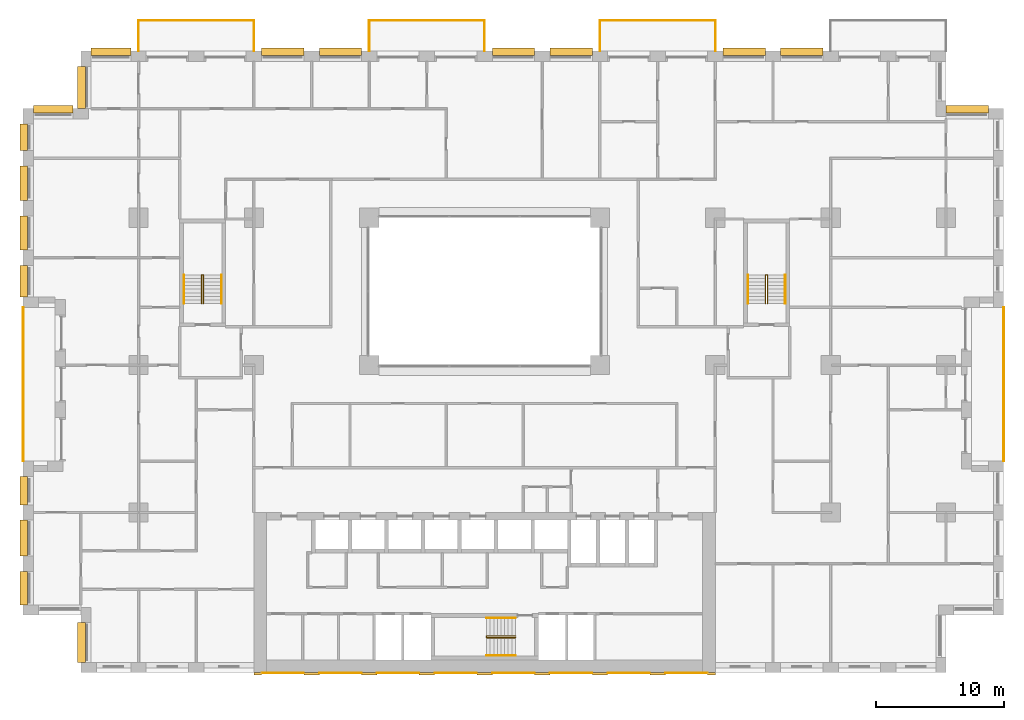
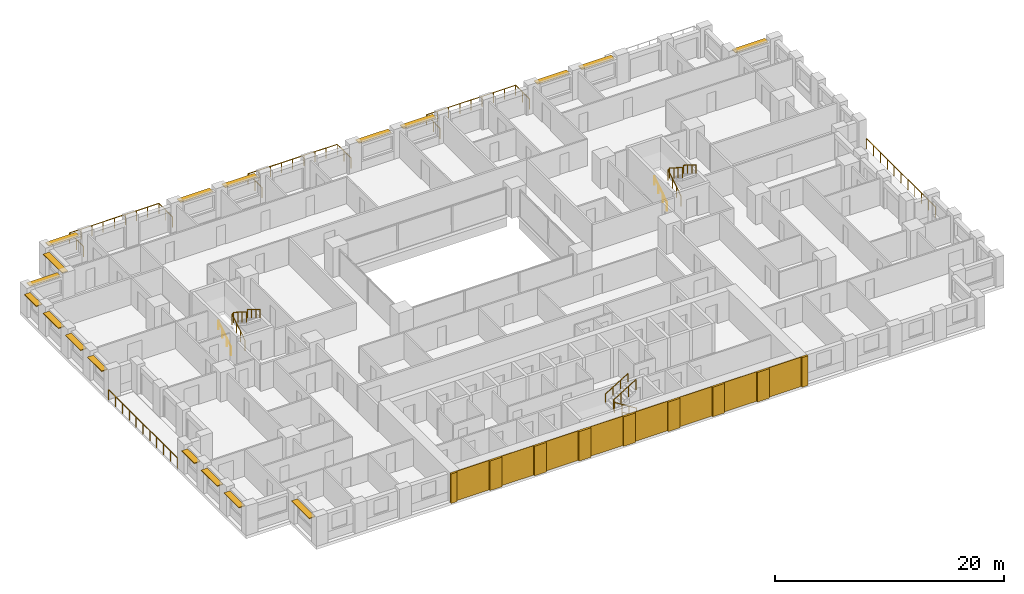
# One storey, part 19 of 20: 18 shading devices, 17 coverings, 14 railings.
"""IFC4 building model written with IfcOpenShell, lengths in metres."""

from ifc_helpers import new_model, si_unit, direction, frame, origin, origin_2d, place, context, subcontext, project, spatial, rectangle, circle, extrude, material, layer, layer_set, type_object, element, save


model = new_model("IFC4")

# Units and contexts
model_context = context("Model", 3, precision=1e-05, world=origin(), true_north=direction((0.0, 1.0)))
body_context = subcontext(model_context, "Body", "Model", "MODEL_VIEW")
ifc_project = project(units=[si_unit("LENGTHUNIT", "METRE"), si_unit("AREAUNIT", "SQUARE_METRE"), si_unit("VOLUMEUNIT", "CUBIC_METRE"), si_unit("PLANEANGLEUNIT", "RADIAN"), si_unit("MASSUNIT", "GRAM", prefix="KILO")], contexts=[model_context])

# Site, building, storey
site_placement = place(None, origin())
site = spatial("IfcSite", under=ifc_project, at=site_placement, CompositionType="ELEMENT")
building_placement = place(site_placement, origin())
building = spatial("IfcBuilding", under=site, at=building_placement, Name="Brigalow Station Residences", CompositionType="ELEMENT")
storey_placement = place(building_placement, frame((0.0, 0.0, 57.300048828125)))
storey = spatial("IfcBuildingStorey", under=building, at=storey_placement, Name="L16", CompositionType="ELEMENT", Elevation=57.300048828125)

# Railings
ifc_material_1 = material(Name="Stainless steel balustrade with laminated glass infill", Category="steel")
railing_type_1 = type_object("IfcRailingType", Name="BALCONY GUARD 1100", PredefinedType="GUARDRAIL", material=ifc_material_1)
railing_1_placement = place(storey_placement, frame((76.5, 16.5, -0.0400390625)))
element("IfcRailing", 1, at=railing_1_placement, inside=storey, type_object=railing_type_1, Name="L16/balcony-guard/1", PredefinedType="GUARDRAIL", context=body_context, shape_type="SweptSolid", body=[
    extrude(circle(Radius=0.02392578125, at=origin_2d()), frame((0.0, 0.0, 1.076171875), z_axis=(0.0, 1.0, 0.0), x_axis=(-1.0, 0.0, 0.0)), (0.0, 0.0, 1.0), 12.0),
    extrude(circle(Radius=0.02099609375, at=origin_2d()), origin(), (0.0, 0.0, 1.0), 1.052001953125),
    extrude(circle(Radius=0.02099609375, at=origin_2d()), frame((0.0, 1.199951171875, 0.0)), (0.0, 0.0, 1.0), 1.052001953125),
    extrude(circle(Radius=0.02099609375, at=origin_2d()), frame((0.0, 2.39990234375, 0.0)), (0.0, 0.0, 1.0), 1.052001953125),
    extrude(circle(Radius=0.02099609375, at=origin_2d()), frame((0.0, 3.60009765625, 0.0)), (0.0, 0.0, 1.0), 1.052001953125),
    extrude(circle(Radius=0.02099609375, at=origin_2d()), frame((0.0, 4.800048828125, 0.0)), (0.0, 0.0, 1.0), 1.052001953125),
    extrude(circle(Radius=0.02099609375, at=origin_2d()), frame((0.0, 6.0, 0.0)), (0.0, 0.0, 1.0), 1.052001953125),
    extrude(circle(Radius=0.02099609375, at=origin_2d()), frame((0.0, 7.199951171875, 0.0)), (0.0, 0.0, 1.0), 1.052001953125),
    extrude(circle(Radius=0.02099609375, at=origin_2d()), frame((0.0, 8.39990234375, 0.0)), (0.0, 0.0, 1.0), 1.052001953125),
    extrude(circle(Radius=0.02099609375, at=origin_2d()), frame((0.0, 9.60009765625, 0.0)), (0.0, 0.0, 1.0), 1.052001953125),
    extrude(circle(Radius=0.02099609375, at=origin_2d()), frame((0.0, 10.800048828125, 0.0)), (0.0, 0.0, 1.0), 1.052001953125),
    extrude(circle(Radius=0.02099609375, at=origin_2d()), frame((0.0, 12.0, 0.0)), (0.0, 0.0, 1.0), 1.052001953125),
])
railing_2_placement = place(storey_placement, frame((54.0, 48.5, -0.0400390625)))
element("IfcRailing", 2, at=railing_2_placement, inside=storey, type_object=railing_type_1, Name="L16/balcony-guard/3", PredefinedType="GUARDRAIL", context=body_context, shape_type="SweptSolid", body=[
    extrude(circle(Radius=0.02392578125, at=origin_2d()), frame((0.0, 0.0, 1.076171875), z_axis=(0.0, 1.0, 0.0), x_axis=(-1.0, 0.0, 0.0)), (0.0, 0.0, 1.0), 2.39990234375),
    extrude(circle(Radius=0.02392578125, at=origin_2d()), frame((0.0, 2.39990234375, 1.076171875), z_axis=(-1.0, 0.0, 0.0), x_axis=(0.0, -1.0, 0.0)), (0.0, 0.0, 1.0), 9.0),
    extrude(circle(Radius=0.02392578125, at=origin_2d()), frame((-9.0, 2.39990234375, 1.076171875), z_axis=(0.0, -1.0, 0.0), x_axis=(1.0, 0.0, 0.0)), (0.0, 0.0, 1.0), 2.39990234375),
    extrude(circle(Radius=0.02099609375, at=origin_2d()), origin(), (0.0, 0.0, 1.0), 1.052001953125),
    extrude(circle(Radius=0.02099609375, at=origin_2d()), frame((0.0, 1.199951171875, 0.0)), (0.0, 0.0, 1.0), 1.052001953125),
    extrude(circle(Radius=0.02099609375, at=origin_2d()), frame((0.0, 2.39990234375, 0.0)), (0.0, 0.0, 1.0), 1.052001953125),
    extrude(circle(Radius=0.02099609375, at=origin_2d()), frame((-1.125, 2.39990234375, 0.0)), (0.0, 0.0, 1.0), 1.052001953125),
    extrude(circle(Radius=0.02099609375, at=origin_2d()), frame((-2.25, 2.39990234375, 0.0)), (0.0, 0.0, 1.0), 1.052001953125),
    extrude(circle(Radius=0.02099609375, at=origin_2d()), frame((-3.375, 2.39990234375, 0.0)), (0.0, 0.0, 1.0), 1.052001953125),
    extrude(circle(Radius=0.02099609375, at=origin_2d()), frame((-4.5, 2.39990234375, 0.0)), (0.0, 0.0, 1.0), 1.052001953125),
    extrude(circle(Radius=0.02099609375, at=origin_2d()), frame((-5.625, 2.39990234375, 0.0)), (0.0, 0.0, 1.0), 1.052001953125),
    extrude(circle(Radius=0.02099609375, at=origin_2d()), frame((-6.75, 2.39990234375, 0.0)), (0.0, 0.0, 1.0), 1.052001953125),
    extrude(circle(Radius=0.02099609375, at=origin_2d()), frame((-7.875, 2.39990234375, 0.0)), (0.0, 0.0, 1.0), 1.052001953125),
    extrude(circle(Radius=0.02099609375, at=origin_2d()), frame((-9.0, 2.39990234375, 0.0)), (0.0, 0.0, 1.0), 1.052001953125),
    extrude(circle(Radius=0.02099609375, at=origin_2d()), frame((-9.0, 1.199951171875, 0.0)), (0.0, 0.0, 1.0), 1.052001953125),
    extrude(circle(Radius=0.02099609375, at=origin_2d()), frame((-9.0, 0.0, 0.0)), (0.0, 0.0, 1.0), 1.052001953125),
])
railing_3_placement = place(storey_placement, frame((36.0, 48.5, -0.0400390625)))
element("IfcRailing", 3, at=railing_3_placement, inside=storey, type_object=railing_type_1, Name="L16/balcony-guard/4", PredefinedType="GUARDRAIL", context=body_context, shape_type="SweptSolid", body=[
    extrude(circle(Radius=0.02392578125, at=origin_2d()), frame((0.0, 0.0, 1.076171875), z_axis=(0.0, 1.0, 0.0), x_axis=(-1.0, 0.0, 0.0)), (0.0, 0.0, 1.0), 2.39990234375),
    extrude(circle(Radius=0.02392578125, at=origin_2d()), frame((0.0, 2.39990234375, 1.076171875), z_axis=(-1.0, 0.0, 0.0), x_axis=(0.0, -1.0, 0.0)), (0.0, 0.0, 1.0), 9.0),
    extrude(circle(Radius=0.02392578125, at=origin_2d()), frame((-9.0, 2.39990234375, 1.076171875), z_axis=(0.0, -1.0, 0.0), x_axis=(1.0, 0.0, 0.0)), (0.0, 0.0, 1.0), 2.39990234375),
    extrude(circle(Radius=0.02099609375, at=origin_2d()), origin(), (0.0, 0.0, 1.0), 1.052001953125),
    extrude(circle(Radius=0.02099609375, at=origin_2d()), frame((0.0, 1.199951171875, 0.0)), (0.0, 0.0, 1.0), 1.052001953125),
    extrude(circle(Radius=0.02099609375, at=origin_2d()), frame((0.0, 2.39990234375, 0.0)), (0.0, 0.0, 1.0), 1.052001953125),
    extrude(circle(Radius=0.02099609375, at=origin_2d()), frame((-1.125, 2.39990234375, 0.0)), (0.0, 0.0, 1.0), 1.052001953125),
    extrude(circle(Radius=0.02099609375, at=origin_2d()), frame((-2.25, 2.39990234375, 0.0)), (0.0, 0.0, 1.0), 1.052001953125),
    extrude(circle(Radius=0.02099609375, at=origin_2d()), frame((-3.375, 2.39990234375, 0.0)), (0.0, 0.0, 1.0), 1.052001953125),
    extrude(circle(Radius=0.02099609375, at=origin_2d()), frame((-4.5, 2.39990234375, 0.0)), (0.0, 0.0, 1.0), 1.052001953125),
    extrude(circle(Radius=0.02099609375, at=origin_2d()), frame((-5.625, 2.39990234375, 0.0)), (0.0, 0.0, 1.0), 1.052001953125),
    extrude(circle(Radius=0.02099609375, at=origin_2d()), frame((-6.75, 2.39990234375, 0.0)), (0.0, 0.0, 1.0), 1.052001953125),
    extrude(circle(Radius=0.02099609375, at=origin_2d()), frame((-7.875, 2.39990234375, 0.0)), (0.0, 0.0, 1.0), 1.052001953125),
    extrude(circle(Radius=0.02099609375, at=origin_2d()), frame((-9.0, 2.39990234375, 0.0)), (0.0, 0.0, 1.0), 1.052001953125),
    extrude(circle(Radius=0.02099609375, at=origin_2d()), frame((-9.0, 1.199951171875, 0.0)), (0.0, 0.0, 1.0), 1.052001953125),
    extrude(circle(Radius=0.02099609375, at=origin_2d()), frame((-9.0, 0.0, 0.0)), (0.0, 0.0, 1.0), 1.052001953125),
])
railing_4_placement = place(storey_placement, frame((18.0, 48.5, -0.0400390625)))
element("IfcRailing", 4, at=railing_4_placement, inside=storey, type_object=railing_type_1, Name="L16/balcony-guard/5", PredefinedType="GUARDRAIL", context=body_context, shape_type="SweptSolid", body=[
    extrude(circle(Radius=0.02392578125, at=origin_2d()), frame((0.0, 0.0, 1.076171875), z_axis=(0.0, 1.0, 0.0), x_axis=(-1.0, 0.0, 0.0)), (0.0, 0.0, 1.0), 2.39990234375),
    extrude(circle(Radius=0.02392578125, at=origin_2d()), frame((0.0, 2.39990234375, 1.076171875), z_axis=(-1.0, 0.0, 0.0), x_axis=(0.0, -1.0, 0.0)), (0.0, 0.0, 1.0), 9.0),
    extrude(circle(Radius=0.02392578125, at=origin_2d()), frame((-9.0, 2.39990234375, 1.076171875), z_axis=(0.0, -1.0, 0.0), x_axis=(1.0, 0.0, 0.0)), (0.0, 0.0, 1.0), 2.39990234375),
    extrude(circle(Radius=0.02099609375, at=origin_2d()), origin(), (0.0, 0.0, 1.0), 1.052001953125),
    extrude(circle(Radius=0.02099609375, at=origin_2d()), frame((0.0, 1.199951171875, 0.0)), (0.0, 0.0, 1.0), 1.052001953125),
    extrude(circle(Radius=0.02099609375, at=origin_2d()), frame((0.0, 2.39990234375, 0.0)), (0.0, 0.0, 1.0), 1.052001953125),
    extrude(circle(Radius=0.02099609375, at=origin_2d()), frame((-1.125, 2.39990234375, 0.0)), (0.0, 0.0, 1.0), 1.052001953125),
    extrude(circle(Radius=0.02099609375, at=origin_2d()), frame((-2.25, 2.39990234375, 0.0)), (0.0, 0.0, 1.0), 1.052001953125),
    extrude(circle(Radius=0.02099609375, at=origin_2d()), frame((-3.375, 2.39990234375, 0.0)), (0.0, 0.0, 1.0), 1.052001953125),
    extrude(circle(Radius=0.02099609375, at=origin_2d()), frame((-4.5, 2.39990234375, 0.0)), (0.0, 0.0, 1.0), 1.052001953125),
    extrude(circle(Radius=0.02099609375, at=origin_2d()), frame((-5.625, 2.39990234375, 0.0)), (0.0, 0.0, 1.0), 1.052001953125),
    extrude(circle(Radius=0.02099609375, at=origin_2d()), frame((-6.75, 2.39990234375, 0.0)), (0.0, 0.0, 1.0), 1.052001953125),
    extrude(circle(Radius=0.02099609375, at=origin_2d()), frame((-7.875, 2.39990234375, 0.0)), (0.0, 0.0, 1.0), 1.052001953125),
    extrude(circle(Radius=0.02099609375, at=origin_2d()), frame((-9.0, 2.39990234375, 0.0)), (0.0, 0.0, 1.0), 1.052001953125),
    extrude(circle(Radius=0.02099609375, at=origin_2d()), frame((-9.0, 1.199951171875, 0.0)), (0.0, 0.0, 1.0), 1.052001953125),
    extrude(circle(Radius=0.02099609375, at=origin_2d()), frame((-9.0, 0.0, 0.0)), (0.0, 0.0, 1.0), 1.052001953125),
])
railing_5_placement = place(storey_placement, frame((0.0, 28.5, -0.0400390625)))
element("IfcRailing", 5, at=railing_5_placement, inside=storey, type_object=railing_type_1, Name="L16/balcony-guard/6", PredefinedType="GUARDRAIL", context=body_context, shape_type="SweptSolid", body=[
    extrude(circle(Radius=0.02392578125, at=origin_2d()), frame((0.0, 0.0, 1.076171875), z_axis=(0.0, -1.0, 0.0), x_axis=(1.0, 0.0, 0.0)), (0.0, 0.0, 1.0), 12.0),
    extrude(circle(Radius=0.02099609375, at=origin_2d()), origin(), (0.0, 0.0, 1.0), 1.052001953125),
    extrude(circle(Radius=0.02099609375, at=origin_2d()), frame((0.0, -1.199951171875, 0.0)), (0.0, 0.0, 1.0), 1.052001953125),
    extrude(circle(Radius=0.02099609375, at=origin_2d()), frame((0.0, -2.39990234375, 0.0)), (0.0, 0.0, 1.0), 1.052001953125),
    extrude(circle(Radius=0.02099609375, at=origin_2d()), frame((0.0, -3.60009765625, 0.0)), (0.0, 0.0, 1.0), 1.052001953125),
    extrude(circle(Radius=0.02099609375, at=origin_2d()), frame((0.0, -4.800048828125, 0.0)), (0.0, 0.0, 1.0), 1.052001953125),
    extrude(circle(Radius=0.02099609375, at=origin_2d()), frame((0.0, -6.0, 0.0)), (0.0, 0.0, 1.0), 1.052001953125),
    extrude(circle(Radius=0.02099609375, at=origin_2d()), frame((0.0, -7.199951171875, 0.0)), (0.0, 0.0, 1.0), 1.052001953125),
    extrude(circle(Radius=0.02099609375, at=origin_2d()), frame((0.0, -8.39990234375, 0.0)), (0.0, 0.0, 1.0), 1.052001953125),
    extrude(circle(Radius=0.02099609375, at=origin_2d()), frame((0.0, -9.60009765625, 0.0)), (0.0, 0.0, 1.0), 1.052001953125),
    extrude(circle(Radius=0.02099609375, at=origin_2d()), frame((0.0, -10.800048828125, 0.0)), (0.0, 0.0, 1.0), 1.052001953125),
    extrude(circle(Radius=0.02099609375, at=origin_2d()), frame((0.0, -12.0, 0.0)), (0.0, 0.0, 1.0), 1.052001953125),
])

# Coverings
ifc_material_2 = material(Name="Clay brick masonry", Category="masonry")
ifc_layer_1 = layer(ifc_material_2, 0.06005859375)
ifc_layer_set_1 = layer_set([ifc_layer_1], Name="BRICK PANEL FACING 60")
covering_type_1 = type_object("IfcCoveringType", Name="BRICK PANEL FACING 60", PredefinedType="CLADDING", material=ifc_layer_set_1)
for number, where, z_axis, x_axis, name in (
    (6, (20.25, -0.030029296875, 0.0), (0.0, 0.0, 1.0), (1.0, 0.0, 0.0), "L16/rear-facing/panel-1"),
    (7, (24.75, -0.030029296875, 0.0), (0.0, 0.0, 1.0), (1.0, 0.0, 0.0), "L16/rear-facing/panel-2"),
    (8, (29.25, -0.030029296875, 0.0), (0.0, 0.0, 1.0), (1.0, 0.0, 0.0), "L16/rear-facing/panel-3"),
    (9, (33.75, -0.030029296875, 0.0), (0.0, 0.0, 1.0), (1.0, 0.0, 0.0), "L16/rear-facing/panel-4"),
    (10, (38.25, -0.030029296875, 0.0), (0.0, 0.0, 1.0), (1.0, 0.0, 0.0), "L16/rear-facing/panel-5"),
    (11, (42.75, -0.030029296875, 0.0), (0.0, 0.0, 1.0), (1.0, 0.0, 0.0), "L16/rear-facing/panel-6"),
    (12, (47.25, -0.030029296875, 0.0), (0.0, 0.0, 1.0), (1.0, 0.0, 0.0), "L16/rear-facing/panel-7"),
    (13, (51.75, -0.030029296875, 0.0), (0.0, 0.0, 1.0), (1.0, 0.0, 0.0), "L16/rear-facing/panel-8"),
):
    element("IfcCovering", number, at=place(storey_placement, frame(where, z_axis=z_axis, x_axis=x_axis)), inside=storey, type_object=covering_type_1, Name=name, PredefinedType="CLADDING", context=body_context, shape_type="SweptSolid", body=[
        extrude(rectangle(XDim=3.300048828125, YDim=0.06005859375, at=origin_2d()), origin(), (0.0, 0.0, 1.0), 3.14990234375),
    ])
ifc_material_3 = material(Name="Clay brick masonry", Category="masonry")
ifc_layer_2 = layer(ifc_material_3, 0.199951171875)
ifc_layer_set_2 = layer_set([ifc_layer_2], Name="BRICK PIER FACING 200")
covering_type_2 = type_object("IfcCoveringType", Name="BRICK PIER FACING 200", PredefinedType="CLADDING", material=ifc_layer_set_2)
covering_1_placement = place(storey_placement, frame((18.300048828125, -0.10009765625, 0.0), z_axis=(0.0, 0.0, 1.0), x_axis=(1.0, 0.0, 0.0)))
element("IfcCovering", 14, at=covering_1_placement, inside=storey, type_object=covering_type_2, Name="L16/rear-facing/pier-1", PredefinedType="CLADDING", context=body_context, shape_type="SweptSolid", body=[
    extrude(rectangle(XDim=0.60009765625, YDim=0.199951171875, at=origin_2d()), origin(), (0.0, 0.0, 1.0), 3.14990234375),
])
for number, where, z_axis, x_axis, name in (
    (15, (22.5, -0.10009765625, 0.0), (0.0, 0.0, 1.0), (1.0, 0.0, 0.0), "L16/rear-facing/pier-2"),
    (16, (27.0, -0.10009765625, 0.0), (0.0, 0.0, 1.0), (1.0, 0.0, 0.0), "L16/rear-facing/pier-3"),
    (17, (31.5, -0.10009765625, 0.0), (0.0, 0.0, 1.0), (1.0, 0.0, 0.0), "L16/rear-facing/pier-4"),
    (18, (36.0, -0.10009765625, 0.0), (0.0, 0.0, 1.0), (1.0, 0.0, 0.0), "L16/rear-facing/pier-5"),
    (19, (40.5, -0.10009765625, 0.0), (0.0, 0.0, 1.0), (1.0, 0.0, 0.0), "L16/rear-facing/pier-6"),
    (20, (45.0, -0.10009765625, 0.0), (0.0, 0.0, 1.0), (1.0, 0.0, 0.0), "L16/rear-facing/pier-7"),
    (21, (49.5, -0.10009765625, 0.0), (0.0, 0.0, 1.0), (1.0, 0.0, 0.0), "L16/rear-facing/pier-8"),
):
    element("IfcCovering", number, at=place(storey_placement, frame(where, z_axis=z_axis, x_axis=x_axis)), inside=storey, type_object=covering_type_2, Name=name, PredefinedType="CLADDING", context=body_context, shape_type="SweptSolid", body=[
        extrude(rectangle(XDim=1.199951171875, YDim=0.199951171875, at=origin_2d()), origin(), (0.0, 0.0, 1.0), 3.14990234375),
    ])
covering_2_placement = place(storey_placement, frame((53.699951171875, -0.10009765625, 0.0), z_axis=(0.0, 0.0, 1.0), x_axis=(1.0, 0.0, 0.0)))
element("IfcCovering", 22, at=covering_2_placement, inside=storey, type_object=covering_type_2, Name="L16/rear-facing/pier-9", PredefinedType="CLADDING", context=body_context, shape_type="SweptSolid", body=[
    extrude(rectangle(XDim=0.60009765625, YDim=0.199951171875, at=origin_2d()), origin(), (0.0, 0.0, 1.0), 3.14990234375),
])

# Railings
ifc_material_4 = material(Name="Stainless steel balustrade", Category="steel")
railing_type_2 = type_object("IfcRailingType", Name="STAIR GUARD 1100", PredefinedType="GUARDRAIL", material=ifc_material_4)
railing_6_placement = place(storey_placement, frame((38.39990234375, 2.72998046875, 0.175048828125)))
element("IfcRailing", 23, at=railing_6_placement, inside=storey, type_object=railing_type_2, Name="GUARD GR-2", PredefinedType="GUARDRAIL", context=body_context, shape_type="SweptSolid", body=[
    extrude(circle(Radius=0.02392578125, at=origin_2d()), frame((0.0, 0.0, 1.076171875), z_axis=(-0.848013881152, 0.0, 0.529974015752), x_axis=(0.0, -1.0, 0.0)), (0.0, 0.0, 1.0), 2.641357421875),
    extrude(circle(Radius=0.02392578125, at=origin_2d()), frame((-2.239990234375, 0.0, 2.47607421875), z_axis=(0.0, 0.624960567888, 0.780656319122), x_axis=(-1.0, 0.0, 0.0)), (0.0, 0.0, 1.0), 0.22412109375),
    extrude(circle(Radius=0.02392578125, at=origin_2d()), frame((-2.239990234375, 0.14013671875, 2.65087890625), z_axis=(0.848013881152, 0.0, 0.529974015752), x_axis=(0.0, 1.0, 0.0)), (0.0, 0.0, 1.0), 2.641357421875),
    extrude(circle(Radius=0.02099609375, at=origin_2d()), origin(), (0.0, 0.0, 1.0), 1.052001953125),
    extrude(circle(Radius=0.02099609375, at=origin_2d()), frame((-0.74658203125, 0.0, 0.466552734375)), (0.0, 0.0, 1.0), 1.052001953125),
    extrude(circle(Radius=0.02099609375, at=origin_2d()), frame((-1.493408203125, 0.0, 0.933349609375)), (0.0, 0.0, 1.0), 1.052001953125),
    extrude(circle(Radius=0.02099609375, at=origin_2d()), frame((-2.239990234375, 0.0, 1.39990234375)), (0.0, 0.0, 1.0), 1.052001953125),
    extrude(circle(Radius=0.02099609375, at=origin_2d()), frame((-2.239990234375, 0.14013671875, 1.574951171875)), (0.0, 0.0, 1.0), 1.052001953125),
    extrude(circle(Radius=0.02099609375, at=origin_2d()), frame((-1.493408203125, 0.14013671875, 2.04150390625)), (0.0, 0.0, 1.0), 1.052001953125),
    extrude(circle(Radius=0.02099609375, at=origin_2d()), frame((-0.74658203125, 0.14013671875, 2.50830078125)), (0.0, 0.0, 1.0), 1.052001953125),
    extrude(circle(Radius=0.02099609375, at=origin_2d()), frame((0.0, 0.14013671875, 2.974853515625)), (0.0, 0.0, 1.0), 1.052001953125),
])
for number, where, name in (
    (24, (13.929931640625, 28.800048828125, 0.175048828125), "GUARD GR-1"),
    (25, (57.929931640625, 28.800048828125, 0.175048828125), "GUARD GR-3"),
):
    element("IfcRailing", number, at=place(storey_placement, frame(where)), inside=storey, type_object=railing_type_2, Name=name, PredefinedType="GUARDRAIL", context=body_context, shape_type="SweptSolid", body=[
        extrude(circle(Radius=0.02392578125, at=origin_2d()), frame((0.0, 0.0, 1.076171875), z_axis=(0.0, 0.848013881152, 0.529974015752), x_axis=(-1.0, 0.0, 0.0)), (0.0, 0.0, 1.0), 2.641357421875),
        extrude(circle(Radius=0.02392578125, at=origin_2d()), frame((0.0, 2.239990234375, 2.47607421875), z_axis=(0.624960567888, 0.0, 0.780656319122), x_axis=(0.0, 1.0, 0.0)), (0.0, 0.0, 1.0), 0.22412109375),
        extrude(circle(Radius=0.02392578125, at=origin_2d()), frame((0.14013671875, 2.239990234375, 2.65087890625), z_axis=(0.0, -0.848013881152, 0.529974015752), x_axis=(1.0, 0.0, 0.0)), (0.0, 0.0, 1.0), 2.641357421875),
        extrude(circle(Radius=0.02099609375, at=origin_2d()), origin(), (0.0, 0.0, 1.0), 1.052001953125),
        extrude(circle(Radius=0.02099609375, at=origin_2d()), frame((0.0, 0.74658203125, 0.466552734375)), (0.0, 0.0, 1.0), 1.052001953125),
        extrude(circle(Radius=0.02099609375, at=origin_2d()), frame((0.0, 1.493408203125, 0.933349609375)), (0.0, 0.0, 1.0), 1.052001953125),
        extrude(circle(Radius=0.02099609375, at=origin_2d()), frame((0.0, 2.239990234375, 1.39990234375)), (0.0, 0.0, 1.0), 1.052001953125),
        extrude(circle(Radius=0.02099609375, at=origin_2d()), frame((0.14013671875, 2.239990234375, 1.574951171875)), (0.0, 0.0, 1.0), 1.052001953125),
        extrude(circle(Radius=0.02099609375, at=origin_2d()), frame((0.14013671875, 1.493408203125, 2.04150390625)), (0.0, 0.0, 1.0), 1.052001953125),
        extrude(circle(Radius=0.02099609375, at=origin_2d()), frame((0.14013671875, 0.74658203125, 2.50830078125)), (0.0, 0.0, 1.0), 1.052001953125),
        extrude(circle(Radius=0.02099609375, at=origin_2d()), frame((0.14013671875, 0.0, 2.974853515625)), (0.0, 0.0, 1.0), 1.052001953125),
    ])
ifc_material_5 = material(Name="Stainless steel handrail", Category="steel")
railing_type_3 = type_object("IfcRailingType", Name="STAIR HANDRAIL 900", PredefinedType="HANDRAIL", material=ifc_material_5)
railing_7_placement = place(storey_placement, frame((38.39990234375, 1.340087890625, 0.175048828125)))
element("IfcRailing", 26, at=railing_7_placement, inside=storey, type_object=railing_type_3, Name="HANDRAIL HR-21", PredefinedType="HANDRAIL", context=body_context, shape_type="SweptSolid", body=[
    extrude(circle(Radius=0.02392578125, at=origin_2d()), frame((0.0, 0.0, 0.8759765625), z_axis=(-0.848013881152, 0.0, 0.529974015752), x_axis=(0.0, -1.0, 0.0)), (0.0, 0.0, 1.0), 2.641357421875),
    extrude(circle(Radius=0.02099609375, at=origin_2d()), origin(), (0.0, 0.0, 1.0), 0.851806640625),
    extrude(circle(Radius=0.02099609375, at=origin_2d()), frame((-0.74658203125, 0.0, 0.466552734375)), (0.0, 0.0, 1.0), 0.851806640625),
    extrude(circle(Radius=0.02099609375, at=origin_2d()), frame((-1.493408203125, 0.0, 0.933349609375)), (0.0, 0.0, 1.0), 0.851806640625),
    extrude(circle(Radius=0.02099609375, at=origin_2d()), frame((-2.239990234375, 0.0, 1.39990234375)), (0.0, 0.0, 1.0), 0.851806640625),
])
railing_8_placement = place(storey_placement, frame((36.159912109375, 4.260009765625, 1.75)))
element("IfcRailing", 27, at=railing_8_placement, inside=storey, type_object=railing_type_3, Name="HANDRAIL HR-22", PredefinedType="HANDRAIL", context=body_context, shape_type="SweptSolid", body=[
    extrude(circle(Radius=0.02392578125, at=origin_2d()), frame((0.0, 0.0, 0.8759765625), z_axis=(0.848013881152, 0.0, 0.529974015752), x_axis=(0.0, 1.0, 0.0)), (0.0, 0.0, 1.0), 2.641357421875),
    extrude(circle(Radius=0.02099609375, at=origin_2d()), origin(), (0.0, 0.0, 1.0), 0.851806640625),
    extrude(circle(Radius=0.02099609375, at=origin_2d()), frame((0.74658203125, 0.0, 0.466552734375)), (0.0, 0.0, 1.0), 0.851806640625),
    extrude(circle(Radius=0.02099609375, at=origin_2d()), frame((1.493408203125, 0.0, 0.933349609375)), (0.0, 0.0, 1.0), 0.851806640625),
    extrude(circle(Radius=0.02099609375, at=origin_2d()), frame((2.239990234375, 0.0, 1.39990234375)), (0.0, 0.0, 1.0), 0.851806640625),
])
railing_9_placement = place(storey_placement, frame((12.5400390625, 28.800048828125, 0.175048828125)))
element("IfcRailing", 28, at=railing_9_placement, inside=storey, type_object=railing_type_3, Name="HANDRAIL HR-11", PredefinedType="HANDRAIL", context=body_context, shape_type="SweptSolid", body=[
    extrude(circle(Radius=0.02392578125, at=origin_2d()), frame((0.0, 0.0, 0.8759765625), z_axis=(0.0, 0.848013881152, 0.529974015752), x_axis=(-1.0, 0.0, 0.0)), (0.0, 0.0, 1.0), 2.641357421875),
    extrude(circle(Radius=0.02099609375, at=origin_2d()), origin(), (0.0, 0.0, 1.0), 0.851806640625),
    extrude(circle(Radius=0.02099609375, at=origin_2d()), frame((0.0, 0.74658203125, 0.466552734375)), (0.0, 0.0, 1.0), 0.851806640625),
    extrude(circle(Radius=0.02099609375, at=origin_2d()), frame((0.0, 1.493408203125, 0.933349609375)), (0.0, 0.0, 1.0), 0.851806640625),
    extrude(circle(Radius=0.02099609375, at=origin_2d()), frame((0.0, 2.239990234375, 1.39990234375)), (0.0, 0.0, 1.0), 0.851806640625),
])
railing_10_placement = place(storey_placement, frame((15.4599609375, 31.0400390625, 1.75)))
element("IfcRailing", 29, at=railing_10_placement, inside=storey, type_object=railing_type_3, Name="HANDRAIL HR-12", PredefinedType="HANDRAIL", context=body_context, shape_type="SweptSolid", body=[
    extrude(circle(Radius=0.02392578125, at=origin_2d()), frame((0.0, 0.0, 0.8759765625), z_axis=(0.0, -0.848013881152, 0.529974015752), x_axis=(1.0, 0.0, 0.0)), (0.0, 0.0, 1.0), 2.641357421875),
    extrude(circle(Radius=0.02099609375, at=origin_2d()), origin(), (0.0, 0.0, 1.0), 0.851806640625),
    extrude(circle(Radius=0.02099609375, at=origin_2d()), frame((0.0, -0.74658203125, 0.466552734375)), (0.0, 0.0, 1.0), 0.851806640625),
    extrude(circle(Radius=0.02099609375, at=origin_2d()), frame((0.0, -1.493408203125, 0.933349609375)), (0.0, 0.0, 1.0), 0.851806640625),
    extrude(circle(Radius=0.02099609375, at=origin_2d()), frame((0.0, -2.239990234375, 1.39990234375)), (0.0, 0.0, 1.0), 0.851806640625),
])
railing_11_placement = place(storey_placement, frame((56.5400390625, 28.800048828125, 0.175048828125)))
element("IfcRailing", 30, at=railing_11_placement, inside=storey, type_object=railing_type_3, Name="HANDRAIL HR-31", PredefinedType="HANDRAIL", context=body_context, shape_type="SweptSolid", body=[
    extrude(circle(Radius=0.02392578125, at=origin_2d()), frame((0.0, 0.0, 0.8759765625), z_axis=(0.0, 0.848013881152, 0.529974015752), x_axis=(-1.0, 0.0, 0.0)), (0.0, 0.0, 1.0), 2.641357421875),
    extrude(circle(Radius=0.02099609375, at=origin_2d()), origin(), (0.0, 0.0, 1.0), 0.851806640625),
    extrude(circle(Radius=0.02099609375, at=origin_2d()), frame((0.0, 0.74658203125, 0.466552734375)), (0.0, 0.0, 1.0), 0.851806640625),
    extrude(circle(Radius=0.02099609375, at=origin_2d()), frame((0.0, 1.493408203125, 0.933349609375)), (0.0, 0.0, 1.0), 0.851806640625),
    extrude(circle(Radius=0.02099609375, at=origin_2d()), frame((0.0, 2.239990234375, 1.39990234375)), (0.0, 0.0, 1.0), 0.851806640625),
])
railing_12_placement = place(storey_placement, frame((59.4599609375, 31.0400390625, 1.75)))
element("IfcRailing", 31, at=railing_12_placement, inside=storey, type_object=railing_type_3, Name="HANDRAIL HR-32", PredefinedType="HANDRAIL", context=body_context, shape_type="SweptSolid", body=[
    extrude(circle(Radius=0.02392578125, at=origin_2d()), frame((0.0, 0.0, 0.8759765625), z_axis=(0.0, -0.848013881152, 0.529974015752), x_axis=(1.0, 0.0, 0.0)), (0.0, 0.0, 1.0), 2.641357421875),
    extrude(circle(Radius=0.02099609375, at=origin_2d()), origin(), (0.0, 0.0, 1.0), 0.851806640625),
    extrude(circle(Radius=0.02099609375, at=origin_2d()), frame((0.0, -0.74658203125, 0.466552734375)), (0.0, 0.0, 1.0), 0.851806640625),
    extrude(circle(Radius=0.02099609375, at=origin_2d()), frame((0.0, -1.493408203125, 0.933349609375)), (0.0, 0.0, 1.0), 0.851806640625),
    extrude(circle(Radius=0.02099609375, at=origin_2d()), frame((0.0, -2.239990234375, 1.39990234375)), (0.0, 0.0, 1.0), 0.851806640625),
])

# Shading devices
ifc_material_6 = material(Name="Powder-coated extruded aluminium blade", Category="aluminium")
ifc_layer_3 = layer(ifc_material_6, 0.080078125)
ifc_layer_set_3 = layer_set([ifc_layer_3], Name="SUNSHADE BLADE 600x80")
shading_device_type = type_object("IfcShadingDeviceType", Name="SUNSHADE BLADE 600x80", PredefinedType="JALOUSIE", material=ifc_layer_set_3)
for number, where, z_axis, x_axis, name in (
    (32, (73.64990234375, 43.949951171875, 2.5498046875), (0.0, 0.0, 1.0), (-1.0, 0.0, 0.0), "L16/blade/W-L16-23"),
    (33, (60.75, 48.449951171875, 2.5498046875), (0.0, 0.0, 1.0), (-1.0, 0.0, 0.0), "L16/blade/W-L16-27"),
    (34, (56.25, 48.449951171875, 2.5498046875), (0.0, 0.0, 1.0), (-1.0, 0.0, 0.0), "L16/blade/W-L16-28"),
    (35, (42.75, 48.449951171875, 2.5498046875), (0.0, 0.0, 1.0), (-1.0, 0.0, 0.0), "L16/blade/W-L16-31"),
    (36, (38.25, 48.449951171875, 2.5498046875), (0.0, 0.0, 1.0), (-1.0, 0.0, 0.0), "L16/blade/W-L16-32"),
    (37, (24.75, 48.449951171875, 2.5498046875), (0.0, 0.0, 1.0), (-1.0, 0.0, 0.0), "L16/blade/W-L16-35"),
    (38, (20.25, 48.449951171875, 2.5498046875), (0.0, 0.0, 1.0), (-1.0, 0.0, 0.0), "L16/blade/W-L16-36"),
):
    element("IfcShadingDevice", number, at=place(storey_placement, frame(where, z_axis=z_axis, x_axis=x_axis)), inside=storey, type_object=shading_device_type, Name=name, PredefinedType="JALOUSIE", context=body_context, shape_type="SweptSolid", body=[
        extrude(rectangle(XDim=3.300048828125, YDim=0.60009765625, at=origin_2d()), origin(), (0.0, 0.0, 1.0), 0.080078125),
    ])
shading_device_1_placement = place(storey_placement, frame((6.85009765625, 48.449951171875, 2.5498046875), z_axis=(0.0, 0.0, 1.0), x_axis=(-1.0, 0.0, 0.0)))
element("IfcShadingDevice", 39, at=shading_device_1_placement, inside=storey, type_object=shading_device_type, Name="L16/blade/W-L16-39", PredefinedType="JALOUSIE", context=body_context, shape_type="SweptSolid", body=[
    extrude(rectangle(XDim=3.10009765625, YDim=0.60009765625, at=origin_2d()), origin(), (0.0, 0.0, 1.0), 0.080078125),
])
shading_device_2_placement = place(storey_placement, frame((4.550048828125, 45.64990234375, 2.5498046875), z_axis=(0.0, 0.0, 1.0), x_axis=(0.0, -1.0, 0.0)))
element("IfcShadingDevice", 40, at=shading_device_2_placement, inside=storey, type_object=shading_device_type, Name="L16/blade/W-L16-40", PredefinedType="JALOUSIE", context=body_context, shape_type="SweptSolid", body=[
    extrude(rectangle(XDim=3.300048828125, YDim=0.60009765625, at=origin_2d()), origin(), (0.0, 0.0, 1.0), 0.080078125),
])
shading_device_3_placement = place(storey_placement, frame((2.35009765625, 43.949951171875, 2.5498046875), z_axis=(0.0, 0.0, 1.0), x_axis=(-1.0, 0.0, 0.0)))
element("IfcShadingDevice", 41, at=shading_device_3_placement, inside=storey, type_object=shading_device_type, Name="L16/blade/W-L16-41", PredefinedType="JALOUSIE", context=body_context, shape_type="SweptSolid", body=[
    extrude(rectangle(XDim=3.10009765625, YDim=0.60009765625, at=origin_2d()), origin(), (0.0, 0.0, 1.0), 0.080078125),
])
shading_device_4_placement = place(storey_placement, frame((0.050048828125, 41.762451171875, 2.5498046875), z_axis=(0.0, 0.0, 1.0), x_axis=(0.0, -1.0, 0.0)))
element("IfcShadingDevice", 42, at=shading_device_4_placement, inside=storey, type_object=shading_device_type, Name="L16/blade/W-L16-42", PredefinedType="JALOUSIE", context=body_context, shape_type="SweptSolid", body=[
    extrude(rectangle(XDim=2.074951171875, YDim=0.60009765625, at=origin_2d()), origin(), (0.0, 0.0, 1.0), 0.080078125),
])
for number, where, z_axis, x_axis, name in (
    (43, (0.050048828125, 38.1875, 2.5498046875), (0.0, 0.0, 1.0), (0.0, -1.0, 0.0), "L16/blade/W-L16-43"),
    (44, (0.050048828125, 34.3125, 2.5498046875), (0.0, 0.0, 1.0), (0.0, -1.0, 0.0), "L16/blade/W-L16-44"),
):
    element("IfcShadingDevice", number, at=place(storey_placement, frame(where, z_axis=z_axis, x_axis=x_axis)), inside=storey, type_object=shading_device_type, Name=name, PredefinedType="JALOUSIE", context=body_context, shape_type="SweptSolid", body=[
        extrude(rectangle(XDim=2.675048828125, YDim=0.60009765625, at=origin_2d()), origin(), (0.0, 0.0, 1.0), 0.080078125),
    ])
shading_device_5_placement = place(storey_placement, frame((0.050048828125, 30.53759765625, 2.5498046875), z_axis=(0.0, 0.0, 1.0), x_axis=(0.0, -1.0, 0.0)))
element("IfcShadingDevice", 45, at=shading_device_5_placement, inside=storey, type_object=shading_device_type, Name="L16/blade/W-L16-45", PredefinedType="JALOUSIE", context=body_context, shape_type="SweptSolid", body=[
    extrude(rectangle(XDim=2.47509765625, YDim=0.60009765625, at=origin_2d()), origin(), (0.0, 0.0, 1.0), 0.080078125),
])
shading_device_6_placement = place(storey_placement, frame((0.050048828125, 14.199951171875, 2.5498046875), z_axis=(0.0, 0.0, 1.0), x_axis=(0.0, -1.0, 0.0)))
element("IfcShadingDevice", 46, at=shading_device_6_placement, inside=storey, type_object=shading_device_type, Name="L16/blade/W-L16-51", PredefinedType="JALOUSIE", context=body_context, shape_type="SweptSolid", body=[
    extrude(rectangle(XDim=2.199951171875, YDim=0.60009765625, at=origin_2d()), origin(), (0.0, 0.0, 1.0), 0.080078125),
])
shading_device_7_placement = place(storey_placement, frame((0.050048828125, 10.5, 2.5498046875), z_axis=(0.0, 0.0, 1.0), x_axis=(0.0, -1.0, 0.0)))
element("IfcShadingDevice", 47, at=shading_device_7_placement, inside=storey, type_object=shading_device_type, Name="L16/blade/W-L16-52", PredefinedType="JALOUSIE", context=body_context, shape_type="SweptSolid", body=[
    extrude(rectangle(XDim=2.800048828125, YDim=0.60009765625, at=origin_2d()), origin(), (0.0, 0.0, 1.0), 0.080078125),
])
shading_device_8_placement = place(storey_placement, frame((0.050048828125, 6.60009765625, 2.5498046875), z_axis=(0.0, 0.0, 1.0), x_axis=(0.0, -1.0, 0.0)))
element("IfcShadingDevice", 48, at=shading_device_8_placement, inside=storey, type_object=shading_device_type, Name="L16/blade/W-L16-53", PredefinedType="JALOUSIE", context=body_context, shape_type="SweptSolid", body=[
    extrude(rectangle(XDim=2.60009765625, YDim=0.60009765625, at=origin_2d()), origin(), (0.0, 0.0, 1.0), 0.080078125),
])
shading_device_9_placement = place(storey_placement, frame((4.550048828125, 2.35009765625, 2.5498046875), z_axis=(0.0, 0.0, 1.0), x_axis=(0.0, -1.0, 0.0)))
element("IfcShadingDevice", 49, at=shading_device_9_placement, inside=storey, type_object=shading_device_type, Name="L16/blade/W-L16-55", PredefinedType="JALOUSIE", context=body_context, shape_type="SweptSolid", body=[
    extrude(rectangle(XDim=3.10009765625, YDim=0.60009765625, at=origin_2d()), origin(), (0.0, 0.0, 1.0), 0.080078125),
])

save(model, "model.ifc")
